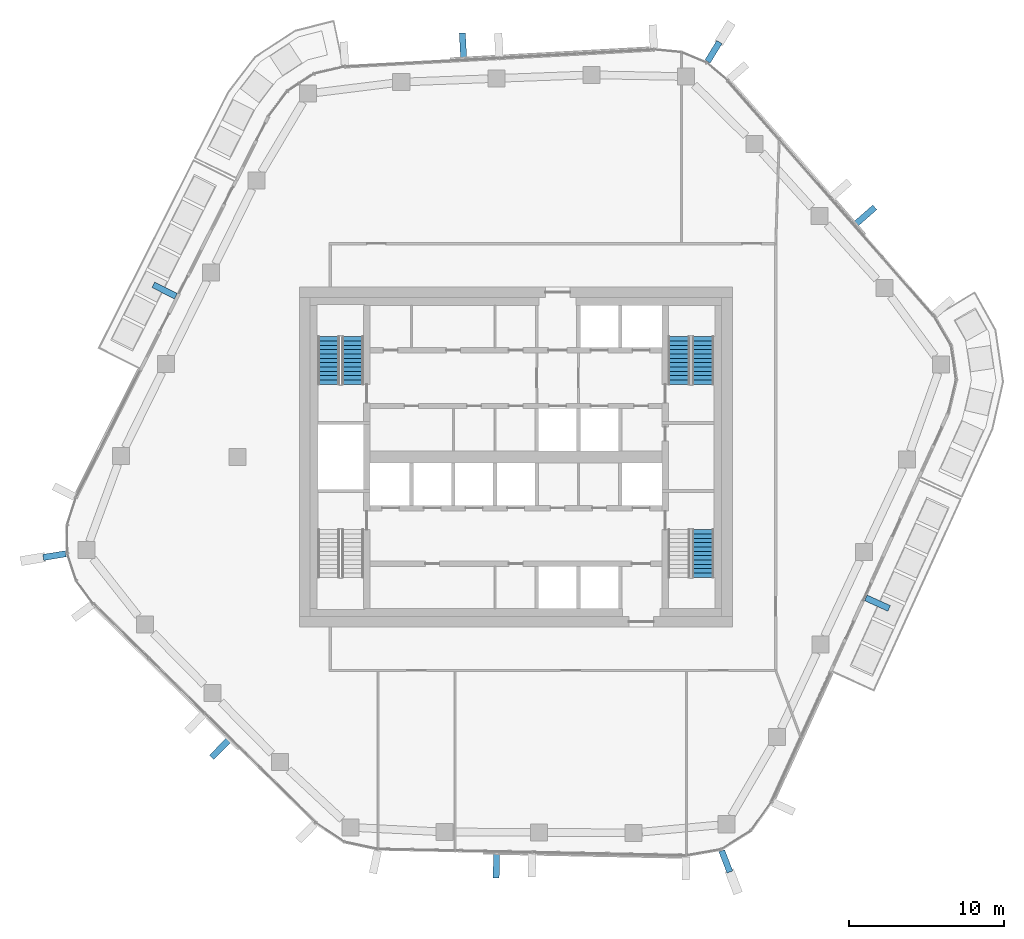
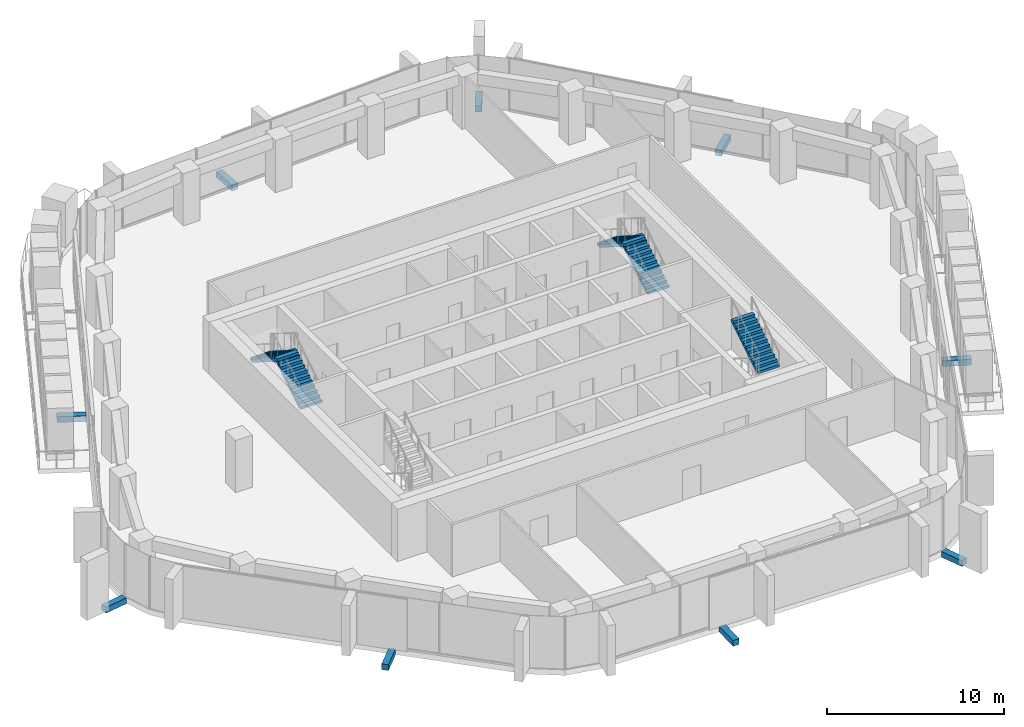
# One storey, part 14 of 21: 9 discrete accessories, 5 stair flights, 3 elements without a shape of their own.
"""IFC4 building model written with IfcOpenShell, lengths in metres."""

from ifc_helpers import new_model, si_unit, direction, frame, origin, origin_2d, place, context, subcontext, project, spatial, polyline, rectangle, outline, extrude, material, layer, layer_set, type_object, element, aggregate, save


model = new_model("IFC4")

# Units and contexts
model_context = context("Model", 3, precision=1e-05, world=origin(), true_north=direction((0.0, 1.0)))
body_context = subcontext(model_context, "Body", "Model", "MODEL_VIEW")
ifc_project = project(units=[si_unit("LENGTHUNIT", "METRE"), si_unit("AREAUNIT", "SQUARE_METRE"), si_unit("VOLUMEUNIT", "CUBIC_METRE"), si_unit("PLANEANGLEUNIT", "RADIAN"), si_unit("MASSUNIT", "GRAM", prefix="KILO")], contexts=[model_context])

# Site, building, storey
site_placement = place(None, origin())
site = spatial("IfcSite", under=ifc_project, at=site_placement, CompositionType="ELEMENT")
building_placement = place(site_placement, origin())
building = spatial("IfcBuilding", under=site, at=building_placement, Name="Dongbaek Canopy Tower", CompositionType="ELEMENT")
storey_placement = place(building_placement, frame((0.0, 0.0, 279.0)))
storey = spatial("IfcBuildingStorey", under=building, at=storey_placement, Name="L59", CompositionType="ELEMENT", Elevation=279.0)

# Stair, stair flights
ifc_material_1 = material(Name="Concrete C40/50", Category="concrete")
stair_type = type_object("IfcStairType", Name="Core exit stair", PredefinedType="HALF_TURN_STAIR", material=ifc_material_1)
stair_1_placement = place(storey_placement, origin())
stair_1 = element("IfcStair", 1, at=stair_1_placement, inside=storey, type_object=stair_type, Name="L59 exit stair A", PredefinedType="HALF_TURN_STAIR")
ifc_material_2 = material(Name="Concrete C40/50", Category="concrete")
ifc_layer = layer(ifc_material_2, 0.14990234375)
ifc_layer_set = layer_set([ifc_layer], Name="Core stair flight 150 waist")
stair_flight_type = type_object("IfcStairFlightType", Name="Core stair flight 150 waist", PredefinedType="STRAIGHT", material=ifc_layer_set)
stair_flight_1_placement = place(storey_placement, frame((12.10009765625, 4.699951171875, 0.0), z_axis=(0.0, 0.0, 1.0), x_axis=(0.0, 1.0, 0.0)))
stair_flight_1 = element("IfcStairFlight", 2, at=stair_flight_1_placement, type_object=stair_flight_type, Name="ST-A flight 1", NumberOfRisers=12, NumberOfTreads=11, PredefinedType="STRAIGHT", RiserHeight=0.175, TreadLength=0.28, context=body_context, shape_type="SweptSolid", body=[
    extrude(outline(polyline([(0.0, 0.0), (0.0, 0.175048828125), (0.280029296875, 0.175048828125), (0.280029296875, 0.35009765625), (0.56005859375, 0.35009765625), (0.56005859375, 0.52490234375), (0.840087890625, 0.52490234375), (0.840087890625, 0.699951171875), (1.1201171875, 0.699951171875), (1.1201171875, 0.875), (1.39990234375, 0.875), (1.39990234375, 1.050048828125), (1.679931640625, 1.050048828125), (1.679931640625, 1.22509765625), (1.9599609375, 1.22509765625), (1.9599609375, 1.39990234375), (2.239990234375, 1.39990234375), (2.239990234375, 1.574951171875), (2.52001953125, 1.574951171875), (2.52001953125, 1.75), (2.800048828125, 1.75), (2.800048828125, 1.925048828125), (3.080078125, 1.925048828125), (3.080078125, 2.10009765625), (3.080078125, 1.748291015625), (0.28271484375, 0.0), (0.0, 0.0)])), frame((0.0, 0.699951171875, 0.0), z_axis=(0.0, -1.0, 0.0), x_axis=(1.0, 0.0, 0.0)), (0.0, 0.0, 1.0), 1.39990234375),
])
stair_flight_2_placement = place(storey_placement, frame((10.550048828125, 7.780029296875, 2.10009765625), z_axis=(0.0, 0.0, 1.0), x_axis=(0.0, -1.0, 0.0)))
stair_flight_2 = element("IfcStairFlight", 3, at=stair_flight_2_placement, type_object=stair_flight_type, Name="ST-A flight 2", NumberOfRisers=12, NumberOfTreads=11, PredefinedType="STRAIGHT", RiserHeight=0.175, TreadLength=0.28, context=body_context, shape_type="SweptSolid", body=[
    extrude(outline(polyline([(0.0, 0.0), (0.0, 0.175048828125), (0.280029296875, 0.175048828125), (0.280029296875, 0.35009765625), (0.56005859375, 0.35009765625), (0.56005859375, 0.52490234375), (0.840087890625, 0.52490234375), (0.840087890625, 0.699951171875), (1.1201171875, 0.699951171875), (1.1201171875, 0.875), (1.39990234375, 0.875), (1.39990234375, 1.050048828125), (1.679931640625, 1.050048828125), (1.679931640625, 1.22509765625), (1.9599609375, 1.22509765625), (1.9599609375, 1.39990234375), (2.239990234375, 1.39990234375), (2.239990234375, 1.574951171875), (2.52001953125, 1.574951171875), (2.52001953125, 1.75), (2.800048828125, 1.75), (2.800048828125, 1.925048828125), (3.080078125, 1.925048828125), (3.080078125, 2.10009765625), (3.080078125, 1.748291015625), (0.28271484375, 0.0), (0.0, 0.0)])), frame((0.0, 0.699951171875, 0.0), z_axis=(0.0, -1.0, 0.0), x_axis=(1.0, 0.0, 0.0)), (0.0, 0.0, 1.0), 1.39990234375),
])
aggregate(stair_1, [stair_flight_1, stair_flight_2])

stair_2_placement = place(storey_placement, origin())
stair_2 = element("IfcStair", 4, at=stair_2_placement, inside=storey, type_object=stair_type, Name="L59 exit stair C", PredefinedType="HALF_TURN_STAIR")
stair_flight_3_placement = place(storey_placement, frame((-10.550048828125, 4.699951171875, 0.0), z_axis=(0.0, 0.0, 1.0), x_axis=(0.0, 1.0, 0.0)))
stair_flight_3 = element("IfcStairFlight", 5, at=stair_flight_3_placement, type_object=stair_flight_type, Name="ST-C flight 1", NumberOfRisers=12, NumberOfTreads=11, PredefinedType="STRAIGHT", RiserHeight=0.175, TreadLength=0.28, context=body_context, shape_type="SweptSolid", body=[
    extrude(outline(polyline([(0.0, 0.0), (0.0, 0.175048828125), (0.280029296875, 0.175048828125), (0.280029296875, 0.35009765625), (0.56005859375, 0.35009765625), (0.56005859375, 0.52490234375), (0.840087890625, 0.52490234375), (0.840087890625, 0.699951171875), (1.1201171875, 0.699951171875), (1.1201171875, 0.875), (1.39990234375, 0.875), (1.39990234375, 1.050048828125), (1.679931640625, 1.050048828125), (1.679931640625, 1.22509765625), (1.9599609375, 1.22509765625), (1.9599609375, 1.39990234375), (2.239990234375, 1.39990234375), (2.239990234375, 1.574951171875), (2.52001953125, 1.574951171875), (2.52001953125, 1.75), (2.800048828125, 1.75), (2.800048828125, 1.925048828125), (3.080078125, 1.925048828125), (3.080078125, 2.10009765625), (3.080078125, 1.748291015625), (0.28271484375, 0.0), (0.0, 0.0)])), frame((0.0, 0.699951171875, 0.0), z_axis=(0.0, -1.0, 0.0), x_axis=(1.0, 0.0, 0.0)), (0.0, 0.0, 1.0), 1.39990234375),
])
stair_flight_4_placement = place(storey_placement, frame((-12.10009765625, 7.780029296875, 2.10009765625), z_axis=(0.0, 0.0, 1.0), x_axis=(0.0, -1.0, 0.0)))
stair_flight_4 = element("IfcStairFlight", 6, at=stair_flight_4_placement, type_object=stair_flight_type, Name="ST-C flight 2", NumberOfRisers=12, NumberOfTreads=11, PredefinedType="STRAIGHT", RiserHeight=0.175, TreadLength=0.28, context=body_context, shape_type="SweptSolid", body=[
    extrude(outline(polyline([(0.0, 0.0), (0.0, 0.175048828125), (0.280029296875, 0.175048828125), (0.280029296875, 0.35009765625), (0.56005859375, 0.35009765625), (0.56005859375, 0.52490234375), (0.840087890625, 0.52490234375), (0.840087890625, 0.699951171875), (1.1201171875, 0.699951171875), (1.1201171875, 0.875), (1.39990234375, 0.875), (1.39990234375, 1.050048828125), (1.679931640625, 1.050048828125), (1.679931640625, 1.22509765625), (1.9599609375, 1.22509765625), (1.9599609375, 1.39990234375), (2.239990234375, 1.39990234375), (2.239990234375, 1.574951171875), (2.52001953125, 1.574951171875), (2.52001953125, 1.75), (2.800048828125, 1.75), (2.800048828125, 1.925048828125), (3.080078125, 1.925048828125), (3.080078125, 2.10009765625), (3.080078125, 1.748291015625), (0.28271484375, 0.0), (0.0, 0.0)])), frame((0.0, 0.699951171875, 0.0), z_axis=(0.0, -1.0, 0.0), x_axis=(1.0, 0.0, 0.0)), (0.0, 0.0, 1.0), 1.39990234375),
])
aggregate(stair_2, [stair_flight_3, stair_flight_4])

# Stair, stair flight
stair_3_placement = place(storey_placement, origin())
stair_3 = element("IfcStair", 7, at=stair_3_placement, inside=storey, type_object=stair_type, Name="L59 exit stair B", PredefinedType="HALF_TURN_STAIR")
stair_flight_5_placement = place(storey_placement, frame((12.10009765625, -7.780029296875, 2.10009765625), z_axis=(0.0, 0.0, 1.0), x_axis=(0.0, 1.0, 0.0)))
stair_flight_5 = element("IfcStairFlight", 8, at=stair_flight_5_placement, type_object=stair_flight_type, Name="ST-B flight 2", NumberOfRisers=12, NumberOfTreads=11, PredefinedType="STRAIGHT", RiserHeight=0.175, TreadLength=0.28, context=body_context, shape_type="SweptSolid", body=[
    extrude(outline(polyline([(0.0, 0.0), (0.0, 0.175048828125), (0.280029296875, 0.175048828125), (0.280029296875, 0.35009765625), (0.56005859375, 0.35009765625), (0.56005859375, 0.52490234375), (0.840087890625, 0.52490234375), (0.840087890625, 0.699951171875), (1.1201171875, 0.699951171875), (1.1201171875, 0.875), (1.39990234375, 0.875), (1.39990234375, 1.050048828125), (1.679931640625, 1.050048828125), (1.679931640625, 1.22509765625), (1.9599609375, 1.22509765625), (1.9599609375, 1.39990234375), (2.239990234375, 1.39990234375), (2.239990234375, 1.574951171875), (2.52001953125, 1.574951171875), (2.52001953125, 1.75), (2.800048828125, 1.75), (2.800048828125, 1.925048828125), (3.080078125, 1.925048828125), (3.080078125, 2.10009765625), (3.080078125, 1.748291015625), (0.28271484375, 0.0), (0.0, 0.0)])), frame((0.0, 0.699951171875, 0.0), z_axis=(0.0, -1.0, 0.0), x_axis=(1.0, 0.0, 0.0)), (0.0, 0.0, 1.0), 1.39990234375),
])
aggregate(stair_3, [stair_flight_5])

# Discrete accessories
ifc_material_3 = material(Name="Galvanised steel S355 bracket", Category="steel")
discrete_accessory_type = type_object("IfcDiscreteAccessoryType", Name="Crease fin bracket BR3 400", PredefinedType="BRACKET", material=ifc_material_3)
discrete_accessory_1_placement = place(storey_placement, frame((22.585693359375, 15.5986328125, -0.389892578125), z_axis=(0.0, 0.0, 1.0), x_axis=(0.752247038492, 0.658881167647, 0.0)))
element("IfcDiscreteAccessory", 9, at=discrete_accessory_1_placement, inside=storey, type_object=discrete_accessory_type, Name="Crease fin bracket L59 F0", PredefinedType="BRACKET", context=body_context, shape_type="SweptSolid", body=[
    extrude(rectangle(XDim=1.652587890625, YDim=0.39990234375, at=origin_2d()), origin(), (0.0, 0.0, 1.0), 0.39990234375),
])
discrete_accessory_2_placement = place(storey_placement, frame((-3.42138671875, 26.592041015625, -0.389892578125), z_axis=(0.0, 0.0, 1.0), x_axis=(-0.054835161861, 0.998495420632, 0.0)))
element("IfcDiscreteAccessory", 10, at=discrete_accessory_2_placement, inside=storey, type_object=discrete_accessory_type, Name="Crease fin bracket L59 F1", PredefinedType="BRACKET", context=body_context, shape_type="SweptSolid", body=[
    extrude(rectangle(XDim=1.64599609375, YDim=0.39990234375, at=origin_2d()), origin(), (0.0, 0.0, 1.0), 0.39990234375),
])
discrete_accessory_3_placement = place(storey_placement, frame((-22.716552734375, 10.767578125, -0.389892578125), z_axis=(0.0, 0.0, 1.0), x_axis=(-0.892500026957, 0.451047338849, 0.0)))
element("IfcDiscreteAccessory", 11, at=discrete_accessory_3_placement, inside=storey, type_object=discrete_accessory_type, Name="Crease fin bracket L59 F2", PredefinedType="BRACKET", context=body_context, shape_type="SweptSolid", body=[
    extrude(rectangle(XDim=1.640380859375, YDim=0.39990234375, at=origin_2d()), origin(), (0.0, 0.0, 1.0), 0.39990234375),
])
discrete_accessory_4_placement = place(storey_placement, frame((-19.115478515625, -18.85107421875, -0.389892578125), z_axis=(0.0, 0.0, 1.0), x_axis=(-0.701639627313, -0.712531987621, 0.0)))
element("IfcDiscreteAccessory", 12, at=discrete_accessory_4_placement, inside=storey, type_object=discrete_accessory_type, Name="Crease fin bracket L59 F3", PredefinedType="BRACKET", context=body_context, shape_type="SweptSolid", body=[
    extrude(rectangle(XDim=1.6201171875, YDim=0.39990234375, at=origin_2d()), origin(), (0.0, 0.0, 1.0), 0.39990234375),
])
discrete_accessory_5_placement = place(storey_placement, frame((-1.264892578125, -26.42041015625, -0.389892578125), z_axis=(0.0, 0.0, 1.0), x_axis=(-0.020537590596, -0.999789081443, 0.0)))
element("IfcDiscreteAccessory", 13, at=discrete_accessory_5_placement, inside=storey, type_object=discrete_accessory_type, Name="Crease fin bracket L59 F4", PredefinedType="BRACKET", context=body_context, shape_type="SweptSolid", body=[
    extrude(rectangle(XDim=1.62548828125, YDim=0.39990234375, at=origin_2d()), origin(), (0.0, 0.0, 1.0), 0.39990234375),
])
discrete_accessory_6_placement = place(storey_placement, frame((23.38037109375, -9.45068359375, -0.389892578125), z_axis=(0.0, 0.0, 1.0), x_axis=(0.910350983569, -0.413837029174, 0.0)))
element("IfcDiscreteAccessory", 14, at=discrete_accessory_6_placement, inside=storey, type_object=discrete_accessory_type, Name="Crease fin bracket L59 F5", PredefinedType="BRACKET", context=body_context, shape_type="SweptSolid", body=[
    extrude(rectangle(XDim=1.651123046875, YDim=0.39990234375, at=origin_2d()), origin(), (0.0, 0.0, 1.0), 0.39990234375),
])
for number, where, z_axis, x_axis, name in (
    (15, (12.774169921875, 26.19921875, -0.389892578125), (0.0, 0.0, 1.0), (0.522138388768, 0.852860775845, 0.0), "Corner fin bracket L59 K1"),
    (16, (-29.833251953125, -6.37451171875, -0.389892578125), (0.0, 0.0, 1.0), (-0.986812809795, -0.161865618412, 0.0), "Corner fin bracket L59 K3"),
    (17, (13.571044921875, -26.14599609375, -0.389892578125), (0.0, 0.0, 1.0), (0.35945614843, -0.933161978092, 0.0), "Corner fin bracket L59 K5"),
):
    element("IfcDiscreteAccessory", number, at=place(storey_placement, frame(where, z_axis=z_axis, x_axis=x_axis)), inside=storey, type_object=discrete_accessory_type, Name=name, PredefinedType="BRACKET", context=body_context, shape_type="SweptSolid", body=[
        extrude(rectangle(XDim=1.469970703125, YDim=0.39990234375, at=origin_2d()), origin(), (0.0, 0.0, 1.0), 0.39990234375),
    ])

save(model, "model.ifc")
